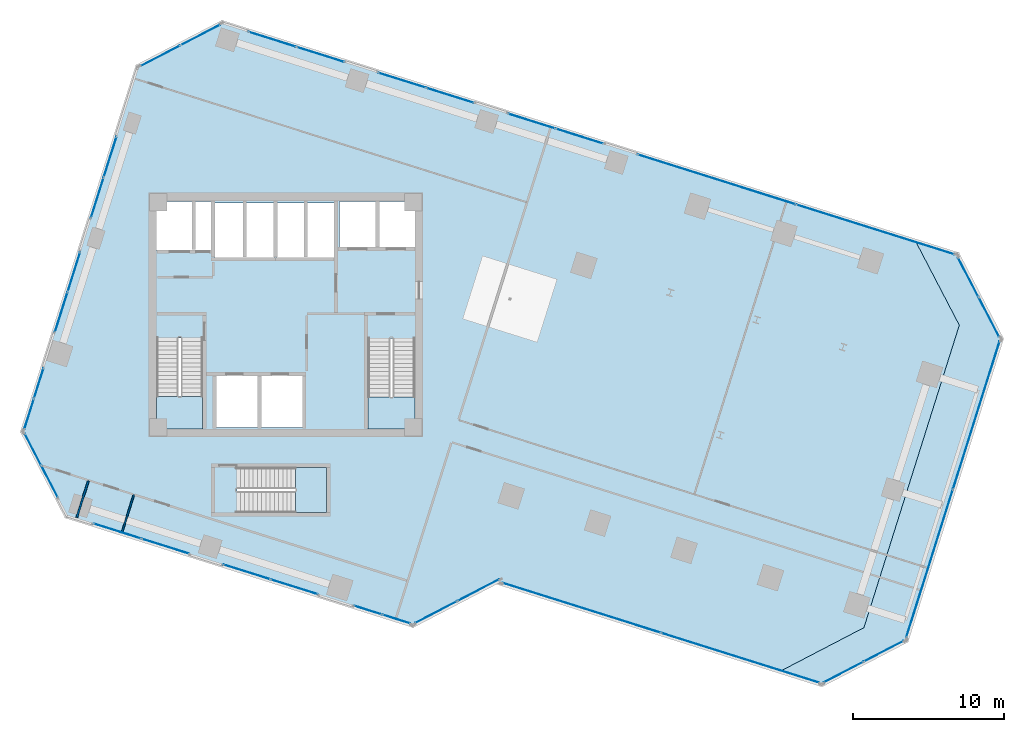
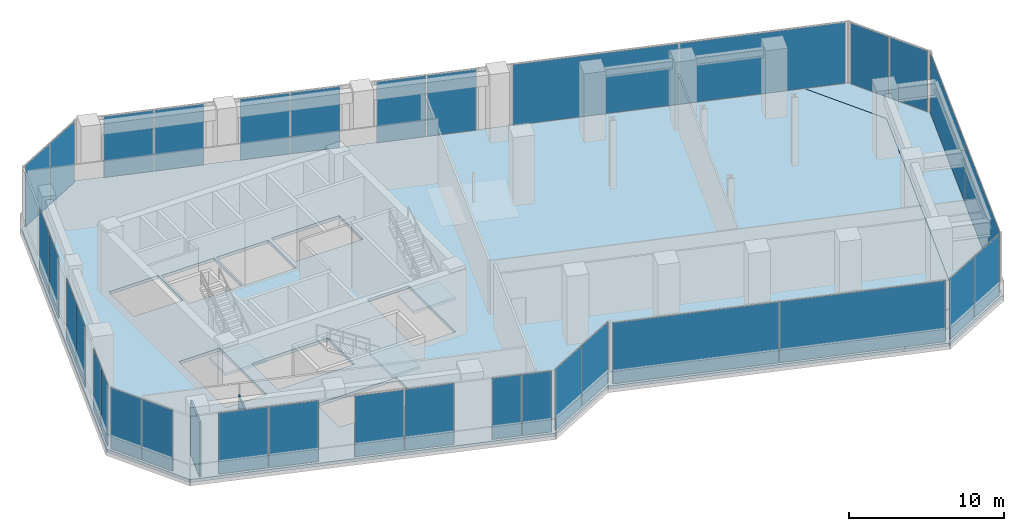
# One storey, part 20 of 28: 34 plates, 5 slabs, 2 walls, 20 elements without a shape of their own.
"""IFC4 building model written with IfcOpenShell, lengths in metres."""

from ifc_helpers import new_model, si_unit, direction, frame, frame_2d, origin, origin_2d, place, context, subcontext, project, spatial, polyline, rectangle, outline, extrude, source, transform, mapped, material, layer, layer_set, type_object, element, aggregate, save


model = new_model("IFC4")

# Units and contexts
model_context = context("Model", 3, precision=1e-05, world=origin(), true_north=direction((0.0, 1.0)))
body_context = subcontext(model_context, "Body", "Model", "MODEL_VIEW")
ifc_project = project(units=[si_unit("LENGTHUNIT", "METRE"), si_unit("AREAUNIT", "SQUARE_METRE"), si_unit("VOLUMEUNIT", "CUBIC_METRE"), si_unit("PLANEANGLEUNIT", "RADIAN"), si_unit("MASSUNIT", "GRAM", prefix="KILO")], contexts=[model_context])

# Site, building, storey
site_placement = place(None, origin())
site = spatial("IfcSite", under=ifc_project, at=site_placement, CompositionType="ELEMENT")
building_placement = place(site_placement, origin())
building = spatial("IfcBuilding", under=site, at=building_placement, Name="Torre Montelarca", CompositionType="ELEMENT")
storey_placement = place(building_placement, frame((0.0, 0.0, 116.800048828125)))
storey = spatial("IfcBuildingStorey", under=building, at=storey_placement, Name="L26", CompositionType="ELEMENT", Elevation=116.800048828125)

# Slabs
ifc_material_1 = material(Name="Concrete C40/50", Category="concrete")
ifc_layer_1 = layer(ifc_material_1, 0.239990234375, Name="Concrete C40/50", Category="concrete")
ifc_layer_set_1 = layer_set([ifc_layer_1], Name="Concrete C40/50")
slab_type_1 = type_object("IfcSlabType", Name="SL-FLR-240", PredefinedType="FLOOR", material=ifc_layer_set_1)
slab_1_placement = place(storey_placement, frame((0.0, 0.0, -0.239990234375)))
element("IfcSlab", 1, at=slab_1_placement, inside=storey, type_object=slab_type_1, Name="L26 Structural Floor Slab", PredefinedType="FLOOR", context=body_context, shape_type="SweptSolid", body=[
    extrude(outline(polyline([(26.422607421875, 11.36474609375), (32.067626953125, 14.30322265625), (32.03759765625, 14.207763671875), (50.635009765625, 8.343994140625), (56.27978515625, 11.28271484375), (62.5947265625, 31.310791015625), (59.65625, 36.95556640625), (13.782470703125, 51.41943359375), (8.137451171875, 48.48095703125), (0.49951171875, 24.256591796875), (3.43798828125, 18.61181640625), (26.422607421875, 11.36474609375)]), holes=[polyline([(20.699951171875, 18.89990234375), (14.760009765625, 18.89990234375), (14.760009765625, 21.889892578125), (20.699951171875, 21.889892578125), (20.699951171875, 18.89990234375)]), polyline([(19.10009765625, 24.550048828125), (13.39990234375, 24.550048828125), (13.39990234375, 27.949951171875), (19.10009765625, 27.949951171875), (19.10009765625, 24.550048828125)]), polyline([(23.43994140625, 24.449951171875), (23.43994140625, 30.429931640625), (26.550048828125, 30.429931640625), (26.550048828125, 24.449951171875), (23.43994140625, 24.449951171875)]), polyline([(9.449951171875, 24.449951171875), (9.449951171875, 30.4599609375), (12.5, 30.4599609375), (12.5, 24.449951171875), (9.449951171875, 24.449951171875)]), polyline([(17.25, 35.800048828125), (13.300048828125, 35.800048828125), (13.300048828125, 39.39990234375), (17.25, 39.39990234375), (17.25, 35.800048828125)]), polyline([(21.25, 35.800048828125), (17.39990234375, 35.800048828125), (17.39990234375, 39.39990234375), (21.25, 39.39990234375), (21.25, 35.800048828125)]), polyline([(13.1201171875, 36.300048828125), (9.449951171875, 36.300048828125), (9.449951171875, 39.5), (13.1201171875, 39.5), (13.1201171875, 36.300048828125)]), polyline([(26.60009765625, 36.449951171875), (21.550048828125, 36.449951171875), (21.550048828125, 39.5), (26.60009765625, 39.5), (26.60009765625, 36.449951171875)])]), origin(), (0.0, 0.0, 1.0), 0.239990234375),
])
slab_2_placement = place(storey_placement, frame((0.0, 0.0, -0.239990234375)))
element("IfcSlab", 2, at=slab_2_placement, inside=storey, type_object=slab_type_1, Name="L26 Sliding Tray Winter Garden Floor Slab E1", PredefinedType="FLOOR", context=body_context, shape_type="SweptSolid", body=[
    extrude(outline(polyline([(59.65625, 36.95556640625), (62.5947265625, 31.310791015625), (56.27978515625, 11.28271484375), (50.635009765625, 8.343994140625), (53.49609375, 7.44189453125), (59.14111328125, 10.380615234375), (65.455810546875, 30.40869140625), (62.517333984375, 36.053466796875), (59.65625, 36.95556640625)])), origin(), (0.0, 0.0, 1.0), 0.239990234375),
])

# Stair, slab
stair_type_1 = type_object("IfcStairType", Name="ST-CORE-ST1", PredefinedType="HALF_TURN_STAIR", material=ifc_material_1)
stair_1_placement = place(storey_placement, origin())
stair_1 = element("IfcStair", 3, at=stair_1_placement, inside=storey, type_object=stair_type_1, Name="L26 Protected Exit Stair ST1", PredefinedType="HALF_TURN_STAIR")
ifc_layer_2 = layer(ifc_material_1, 0.199951171875, Name="Concrete C40/50", Category="concrete")
ifc_layer_set_2 = layer_set([ifc_layer_2], Name="Concrete C40/50")
slab_type_2 = type_object("IfcSlabType", Name="SL-ST-LAND-ST1", PredefinedType="LANDING", material=ifc_layer_set_2)
slab_3_placement = place(storey_placement, frame((0.0, 0.0, 2.5)))
slab_3 = element("IfcSlab", 4, at=slab_3_placement, type_object=slab_type_2, Name="ST1 landing 1", PredefinedType="LANDING", context=body_context, shape_type="SweptSolid", body=[
    extrude(outline(polyline([(9.449951171875, 26.580078125), (9.449951171875, 24.449951171875), (12.5, 24.449951171875), (12.5, 26.580078125), (9.449951171875, 26.580078125)])), origin(), (0.0, 0.0, 1.0), 0.199951171875),
])
aggregate(stair_1, [slab_3])

stair_type_2 = type_object("IfcStairType", Name="ST-CORE-ST2", PredefinedType="HALF_TURN_STAIR", material=ifc_material_1)
stair_2_placement = place(storey_placement, origin())
stair_2 = element("IfcStair", 5, at=stair_2_placement, inside=storey, type_object=stair_type_2, Name="L26 Protected Exit Stair ST2", PredefinedType="HALF_TURN_STAIR")
ifc_layer_3 = layer(ifc_material_1, 0.199951171875, Name="Concrete C40/50", Category="concrete")
ifc_layer_set_3 = layer_set([ifc_layer_3], Name="Concrete C40/50")
slab_type_3 = type_object("IfcSlabType", Name="SL-ST-LAND-ST2", PredefinedType="LANDING", material=ifc_layer_set_3)
slab_4_placement = place(storey_placement, frame((0.0, 0.0, 2.5)))
slab_4 = element("IfcSlab", 6, at=slab_4_placement, type_object=slab_type_3, Name="ST2 landing 1", PredefinedType="LANDING", context=body_context, shape_type="SweptSolid", body=[
    extrude(outline(polyline([(23.43994140625, 26.550048828125), (23.43994140625, 24.449951171875), (26.550048828125, 24.449951171875), (26.550048828125, 26.550048828125), (23.43994140625, 26.550048828125)])), origin(), (0.0, 0.0, 1.0), 0.199951171875),
])
aggregate(stair_2, [slab_4])

stair_type_3 = type_object("IfcStairType", Name="ST-CORE-ST3", PredefinedType="HALF_TURN_STAIR", material=ifc_material_1)
stair_3_placement = place(storey_placement, origin())
stair_3 = element("IfcStair", 7, at=stair_3_placement, inside=storey, type_object=stair_type_3, Name="L26 Low-Rise Exit Stair ST3", PredefinedType="HALF_TURN_STAIR")
ifc_layer_4 = layer(ifc_material_1, 0.199951171875, Name="Concrete C40/50", Category="concrete")
ifc_layer_set_4 = layer_set([ifc_layer_4], Name="Concrete C40/50")
slab_type_4 = type_object("IfcSlabType", Name="SL-ST-LAND-ST3", PredefinedType="LANDING", material=ifc_layer_set_4)
slab_5_placement = place(storey_placement, frame((0.0, 0.0, 2.5)))
slab_5 = element("IfcSlab", 8, at=slab_5_placement, type_object=slab_type_4, Name="ST3 landing 1", PredefinedType="LANDING", context=body_context, shape_type="SweptSolid", body=[
    extrude(outline(polyline([(18.639892578125, 18.89990234375), (20.699951171875, 18.89990234375), (20.699951171875, 21.889892578125), (18.639892578125, 21.889892578125), (18.639892578125, 18.89990234375)])), origin(), (0.0, 0.0, 1.0), 0.199951171875),
])
aggregate(stair_3, [slab_5])

# Curtain wall, plates
ifc_material_2 = material(Name="Insulated low-E laminated glass", Category="glass")
curtain_wall_type = type_object("IfcCurtainWallType", Name="CW-SYS-Z1", PredefinedType="USERDEFINED", material=ifc_material_2)
curtain_wall_1_placement = place(storey_placement, origin())
curtain_wall_1 = element("IfcCurtainWall", 9, at=curtain_wall_1_placement, inside=storey, type_object=curtain_wall_type, Name="L26 Curtain Wall Run CW-T3-L26-E01-B1", ObjectType="UNITISED GLAZING", PredefinedType="USERDEFINED")
ifc_layer_5 = layer(ifc_material_2, 0.028076171875, Name="Insulated low-E laminated glass", Category="glass")
ifc_layer_set_5 = layer_set([ifc_layer_5], Name="Insulated low-E laminated glass")
plate_type = type_object("IfcPlateType", Name="CWP-GLZ-28", PredefinedType="CURTAIN_PANEL", material=ifc_layer_set_5)
shared_shape_1 = source(origin(), body_context, "Body", "SweptSolid", [
    extrude(rectangle(XDim=3.2724609375, YDim=0.028076171875, at=origin_2d()), origin(), (0.0, 0.0, 1.0), 4.7900390625),
])
plate_1_placement = place(storey_placement, frame((6.844970703125, 17.673828125, 0.06494140625), z_axis=(0.0, 0.0, 1.0), x_axis=(0.953715765505, -0.300709558589, 0.0)))
plate_1 = element("IfcPlate", 10, at=plate_1_placement, type_object=plate_type, Name="CW panel 1.1", PredefinedType="CURTAIN_PANEL", context=body_context, shape_type="MappedRepresentation", body=[
    mapped(shared_shape_1, transform((0.0, 0.0, 0.0), scale=1.0)),
])
plate_2_placement = place(storey_placement, frame((10.028076171875, 16.670166015625, 0.06494140625), z_axis=(0.0, 0.0, 1.0), x_axis=(0.953715765505, -0.300709558589, 0.0)))
plate_2 = element("IfcPlate", 11, at=plate_2_placement, type_object=plate_type, Name="CW panel 2.1", PredefinedType="CURTAIN_PANEL", context=body_context, shape_type="MappedRepresentation", body=[
    mapped(shared_shape_1, transform((0.0, 0.0, 0.0), scale=1.0)),
])
aggregate(curtain_wall_1, [plate_1, plate_2])

curtain_wall_2_placement = place(storey_placement, origin())
curtain_wall_2 = element("IfcCurtainWall", 12, at=curtain_wall_2_placement, inside=storey, type_object=curtain_wall_type, Name="L26 Curtain Wall Run CW-T3-L26-E08-B2", ObjectType="UNITISED GLAZING", PredefinedType="USERDEFINED")
plate_3_placement = place(storey_placement, frame((37.4609375, 43.8173828125, 0.06494140625), z_axis=(0.0, 0.0, 1.0), x_axis=(-0.953714423855, 0.30071381367, 0.0)))
plate_3 = element("IfcPlate", 13, at=plate_3_placement, type_object=plate_type, Name="CW panel 1.1", PredefinedType="CURTAIN_PANEL", context=body_context, shape_type="MappedRepresentation", body=[
    mapped(shared_shape_1, transform((0.0, 0.0, 0.0), scale=1.0)),
])
plate_4_placement = place(storey_placement, frame((34.278076171875, 44.821044921875, 0.06494140625), z_axis=(0.0, 0.0, 1.0), x_axis=(-0.953714423855, 0.30071381367, 0.0)))
plate_4 = element("IfcPlate", 14, at=plate_4_placement, type_object=plate_type, Name="CW panel 2.1", PredefinedType="CURTAIN_PANEL", context=body_context, shape_type="MappedRepresentation", body=[
    mapped(shared_shape_1, transform((0.0, 0.0, 0.0), scale=1.0)),
])
aggregate(curtain_wall_2, [plate_3, plate_4])

curtain_wall_3_placement = place(storey_placement, origin())
curtain_wall_3 = element("IfcCurtainWall", 15, at=curtain_wall_3_placement, inside=storey, type_object=curtain_wall_type, Name="L26 Curtain Wall Run CW-T3-L26-E08-B3", ObjectType="UNITISED GLAZING", PredefinedType="USERDEFINED")
plate_5_placement = place(storey_placement, frame((28.877685546875, 46.523681640625, 0.06494140625), z_axis=(0.0, 0.0, 1.0), x_axis=(-0.953715765505, 0.300709558589, 0.0)))
plate_5 = element("IfcPlate", 16, at=plate_5_placement, type_object=plate_type, Name="CW panel 1.1", PredefinedType="CURTAIN_PANEL", context=body_context, shape_type="MappedRepresentation", body=[
    mapped(shared_shape_1, transform((0.0, 0.0, 0.0), scale=1.0)),
])
plate_6_placement = place(storey_placement, frame((25.694580078125, 47.52734375, 0.06494140625), z_axis=(0.0, 0.0, 1.0), x_axis=(-0.953715765505, 0.300709558589, 0.0)))
plate_6 = element("IfcPlate", 17, at=plate_6_placement, type_object=plate_type, Name="CW panel 2.1", PredefinedType="CURTAIN_PANEL", context=body_context, shape_type="MappedRepresentation", body=[
    mapped(shared_shape_1, transform((0.0, 0.0, 0.0), scale=1.0)),
])
aggregate(curtain_wall_3, [plate_5, plate_6])

curtain_wall_4_placement = place(storey_placement, origin())
curtain_wall_4 = element("IfcCurtainWall", 18, at=curtain_wall_4_placement, inside=storey, type_object=curtain_wall_type, Name="L26 Curtain Wall Run CW-T3-L26-E08-B4", ObjectType="UNITISED GLAZING", PredefinedType="USERDEFINED")
plate_7_placement = place(storey_placement, frame((20.294189453125, 49.22998046875, 0.06494140625), z_axis=(0.0, 0.0, 1.0), x_axis=(-0.953720020459, 0.300696063452, 0.0)))
plate_7 = element("IfcPlate", 19, at=plate_7_placement, type_object=plate_type, Name="CW panel 1.1", PredefinedType="CURTAIN_PANEL", context=body_context, shape_type="MappedRepresentation", body=[
    mapped(shared_shape_1, transform((0.0, 0.0, 0.0), scale=1.0)),
])
plate_8_placement = place(storey_placement, frame((17.111083984375, 50.233642578125, 0.06494140625), z_axis=(0.0, 0.0, 1.0), x_axis=(-0.953720020459, 0.300696063452, 0.0)))
plate_8 = element("IfcPlate", 20, at=plate_8_placement, type_object=plate_type, Name="CW panel 2.1", PredefinedType="CURTAIN_PANEL", context=body_context, shape_type="MappedRepresentation", body=[
    mapped(shared_shape_1, transform((0.0, 0.0, 0.0), scale=1.0)),
])
aggregate(curtain_wall_4, [plate_7, plate_8])

curtain_wall_5_placement = place(storey_placement, origin())
curtain_wall_5 = element("IfcCurtainWall", 21, at=curtain_wall_5_placement, inside=storey, type_object=curtain_wall_type, Name="L26 Curtain Wall Run CW-T3-L26-E01-B2", ObjectType="UNITISED GLAZING", PredefinedType="USERDEFINED")
shared_shape_2 = source(origin(), body_context, "Body", "SweptSolid", [
    extrude(rectangle(XDim=3.23486328125, YDim=0.028076171875, at=origin_2d()), origin(), (0.0, 0.0, 1.0), 4.7900390625),
])
plate_9_placement = place(storey_placement, frame((15.41064453125, 14.97314453125, 0.06494140625), z_axis=(0.0, 0.0, 1.0), x_axis=(0.953721113808, -0.300692595648, 0.0)))
plate_9 = element("IfcPlate", 22, at=plate_9_placement, type_object=plate_type, Name="CW panel 1.1", PredefinedType="CURTAIN_PANEL", context=body_context, shape_type="MappedRepresentation", body=[
    mapped(shared_shape_2, transform((0.0, 0.0, 0.0), scale=1.0)),
])
plate_10_placement = place(storey_placement, frame((18.557861328125, 13.980712890625, 0.06494140625), z_axis=(0.0, 0.0, 1.0), x_axis=(0.953721113808, -0.300692595648, 0.0)))
plate_10 = element("IfcPlate", 23, at=plate_10_placement, type_object=plate_type, Name="CW panel 2.1", PredefinedType="CURTAIN_PANEL", context=body_context, shape_type="MappedRepresentation", body=[
    mapped(shared_shape_2, transform((0.0, 0.0, 0.0), scale=1.0)),
])
aggregate(curtain_wall_5, [plate_9, plate_10])

curtain_wall_6_placement = place(storey_placement, origin())
curtain_wall_6 = element("IfcCurtainWall", 24, at=curtain_wall_6_placement, inside=storey, type_object=curtain_wall_type, Name="L26 Curtain Wall Run CW-T3-L26-E01-B3", ObjectType="UNITISED GLAZING", PredefinedType="USERDEFINED")
shared_shape_3 = source(origin(), body_context, "Body", "SweptSolid", [
    extrude(rectangle(XDim=1.9169921875, YDim=0.028076171875, at=origin_2d()), origin(), (0.0, 0.0, 1.0), 4.7900390625),
])
plate_11_placement = place(storey_placement, frame((23.43701171875, 12.4423828125, 0.06494140625), z_axis=(0.0, 0.0, 1.0), x_axis=(0.953716855087, -0.300706102902, 0.0)))
plate_11 = element("IfcPlate", 25, at=plate_11_placement, type_object=plate_type, Name="CW panel 1.1", PredefinedType="CURTAIN_PANEL", context=body_context, shape_type="MappedRepresentation", body=[
    mapped(shared_shape_3, transform((0.0, 0.0, 0.0), scale=1.0)),
])
plate_12_placement = place(storey_placement, frame((25.327392578125, 11.846435546875, 0.06494140625), z_axis=(0.0, 0.0, 1.0), x_axis=(0.953716855087, -0.300706102902, 0.0)))
plate_12 = element("IfcPlate", 26, at=plate_12_placement, type_object=plate_type, Name="CW panel 2.1", PredefinedType="CURTAIN_PANEL", context=body_context, shape_type="MappedRepresentation", body=[
    mapped(shared_shape_3, transform((0.0, 0.0, 0.0), scale=1.0)),
])
aggregate(curtain_wall_6, [plate_11, plate_12])

curtain_wall_7_placement = place(storey_placement, origin())
curtain_wall_7 = element("IfcCurtainWall", 27, at=curtain_wall_7_placement, inside=storey, type_object=curtain_wall_type, Name="L26 Curtain Wall Run CW-T3-L26-E02-B1", ObjectType="UNITISED GLAZING", PredefinedType="USERDEFINED")
shared_shape_4 = source(origin(), body_context, "Body", "SweptSolid", [
    extrude(rectangle(XDim=3.1025390625, YDim=0.028076171875, at=origin_2d()), origin(), (0.0, 0.0, 1.0), 4.7900390625),
])
plate_13_placement = place(storey_placement, frame((27.943359375, 12.302978515625, 0.06494140625), z_axis=(0.0, 0.0, 1.0), x_axis=(0.887014618203, 0.461741342198, 0.0)))
plate_13 = element("IfcPlate", 28, at=plate_13_placement, type_object=plate_type, Name="CW panel 1.1", PredefinedType="CURTAIN_PANEL", context=body_context, shape_type="MappedRepresentation", body=[
    mapped(shared_shape_4, transform((0.0, 0.0, 0.0), scale=1.0)),
])
plate_14_placement = place(storey_placement, frame((30.7529296875, 13.765380859375, 0.06494140625), z_axis=(0.0, 0.0, 1.0), x_axis=(0.887014618203, 0.461741342198, 0.0)))
plate_14 = element("IfcPlate", 29, at=plate_14_placement, type_object=plate_type, Name="CW panel 2.1", PredefinedType="CURTAIN_PANEL", context=body_context, shape_type="MappedRepresentation", body=[
    mapped(shared_shape_4, transform((0.0, 0.0, 0.0), scale=1.0)),
])
aggregate(curtain_wall_7, [plate_13, plate_14])

curtain_wall_8_placement = place(storey_placement, origin())
curtain_wall_8 = element("IfcCurtainWall", 30, at=curtain_wall_8_placement, inside=storey, type_object=curtain_wall_type, Name="L26 Curtain Wall Run CW-T3-L26-E04-B1", ObjectType="UNITISED GLAZING", PredefinedType="USERDEFINED")
shared_shape_5 = source(origin(), body_context, "Body", "SweptSolid", [
    extrude(rectangle(XDim=10.948486328125, YDim=0.028076171875, at=origin_2d()), origin(), (0.0, 0.0, 1.0), 4.7900390625),
])
plate_15_placement = place(storey_placement, frame((37.59033203125, 12.59326171875, 0.06494140625), z_axis=(0.0, 0.0, 1.0), x_axis=(0.953718500235, -0.300700885116, 0.0)))
plate_15 = element("IfcPlate", 31, at=plate_15_placement, type_object=plate_type, Name="CW panel 1.1", PredefinedType="CURTAIN_PANEL", context=body_context, shape_type="MappedRepresentation", body=[
    mapped(shared_shape_5, transform((0.0, 0.0, 0.0), scale=1.0)),
])
plate_16_placement = place(storey_placement, frame((48.093994140625, 9.281494140625, 0.06494140625), z_axis=(0.0, 0.0, 1.0), x_axis=(0.953718500235, -0.300700885116, 0.0)))
plate_16 = element("IfcPlate", 32, at=plate_16_placement, type_object=plate_type, Name="CW panel 2.1", PredefinedType="CURTAIN_PANEL", context=body_context, shape_type="MappedRepresentation", body=[
    mapped(shared_shape_5, transform((0.0, 0.0, 0.0), scale=1.0)),
])
aggregate(curtain_wall_8, [plate_15, plate_16])

curtain_wall_9_placement = place(storey_placement, origin())
curtain_wall_9 = element("IfcCurtainWall", 33, at=curtain_wall_9_placement, inside=storey, type_object=curtain_wall_type, Name="L26 Curtain Wall Run CW-T3-L26-E05-B1", ObjectType="UNITISED GLAZING", PredefinedType="USERDEFINED")
shared_shape_6 = source(origin(), body_context, "Body", "SweptSolid", [
    extrude(rectangle(XDim=2.918701171875, YDim=0.028076171875, at=origin_2d()), origin(), (0.0, 0.0, 1.0), 4.7900390625),
])
plate_17_placement = place(storey_placement, frame((54.935302734375, 8.337646484375, 0.06494140625), z_axis=(0.0, 0.0, 1.0), x_axis=(0.887021029316, 0.461729026109, 0.0)))
plate_17 = element("IfcPlate", 34, at=plate_17_placement, type_object=plate_type, Name="CW panel 1.1", PredefinedType="CURTAIN_PANEL", context=body_context, shape_type="MappedRepresentation", body=[
    mapped(shared_shape_6, transform((0.0, 0.0, 0.0), scale=1.0)),
])
plate_18_placement = place(storey_placement, frame((57.581787109375, 9.71533203125, 0.06494140625), z_axis=(0.0, 0.0, 1.0), x_axis=(0.887021029316, 0.461729026109, 0.0)))
plate_18 = element("IfcPlate", 35, at=plate_18_placement, type_object=plate_type, Name="CW panel 2.1", PredefinedType="CURTAIN_PANEL", context=body_context, shape_type="MappedRepresentation", body=[
    mapped(shared_shape_6, transform((0.0, 0.0, 0.0), scale=1.0)),
])
aggregate(curtain_wall_9, [plate_17, plate_18])

curtain_wall_10_placement = place(storey_placement, origin())
curtain_wall_10 = element("IfcCurtainWall", 36, at=curtain_wall_10_placement, inside=storey, type_object=curtain_wall_type, Name="L26 Curtain Wall Run CW-T3-L26-E07-B1", ObjectType="UNITISED GLAZING", PredefinedType="USERDEFINED")
plate_19_placement = place(storey_placement, frame((64.56005859375, 31.84765625, 0.06494140625), z_axis=(0.0, 0.0, 1.0), x_axis=(-0.461742069139, 0.887014239788, 0.0)))
plate_19 = element("IfcPlate", 37, at=plate_19_placement, type_object=plate_type, Name="CW panel 1.1", PredefinedType="CURTAIN_PANEL", context=body_context, shape_type="MappedRepresentation", body=[
    mapped(shared_shape_6, transform((0.0, 0.0, 0.0), scale=1.0)),
])
plate_20_placement = place(storey_placement, frame((63.182373046875, 34.494384765625, 0.06494140625), z_axis=(0.0, 0.0, 1.0), x_axis=(-0.461742069139, 0.887014239788, 0.0)))
plate_20 = element("IfcPlate", 38, at=plate_20_placement, type_object=plate_type, Name="CW panel 2.1", PredefinedType="CURTAIN_PANEL", context=body_context, shape_type="MappedRepresentation", body=[
    mapped(shared_shape_6, transform((0.0, 0.0, 0.0), scale=1.0)),
])
aggregate(curtain_wall_10, [plate_19, plate_20])

curtain_wall_11_placement = place(storey_placement, origin())
curtain_wall_11 = element("IfcCurtainWall", 39, at=curtain_wall_11_placement, inside=storey, type_object=curtain_wall_type, Name="L26 Curtain Wall Run CW-T3-L26-E09-B1", ObjectType="UNITISED GLAZING", PredefinedType="USERDEFINED")
plate_21_placement = place(storey_placement, frame((12.34326171875, 50.523681640625, 0.06494140625), z_axis=(0.0, 0.0, 1.0), x_axis=(-0.887021029316, -0.461729026109, 0.0)))
plate_21 = element("IfcPlate", 40, at=plate_21_placement, type_object=plate_type, Name="CW panel 1.1", PredefinedType="CURTAIN_PANEL", context=body_context, shape_type="MappedRepresentation", body=[
    mapped(shared_shape_6, transform((0.0, 0.0, 0.0), scale=1.0)),
])
plate_22_placement = place(storey_placement, frame((9.69677734375, 49.146240234375, 0.06494140625), z_axis=(0.0, 0.0, 1.0), x_axis=(-0.887021029316, -0.461729026109, 0.0)))
plate_22 = element("IfcPlate", 41, at=plate_22_placement, type_object=plate_type, Name="CW panel 2.1", PredefinedType="CURTAIN_PANEL", context=body_context, shape_type="MappedRepresentation", body=[
    mapped(shared_shape_6, transform((0.0, 0.0, 0.0), scale=1.0)),
])
aggregate(curtain_wall_11, [plate_21, plate_22])

curtain_wall_12_placement = place(storey_placement, origin())
curtain_wall_12 = element("IfcCurtainWall", 42, at=curtain_wall_12_placement, inside=storey, type_object=curtain_wall_type, Name="L26 Curtain Wall Run CW-T3-L26-E06-B1", ObjectType="UNITISED GLAZING", PredefinedType="USERDEFINED")
shared_shape_7 = source(origin(), body_context, "Body", "SweptSolid", [
    extrude(rectangle(XDim=10.23681640625, YDim=0.028076171875, at=origin_2d()), origin(), (0.0, 0.0, 1.0), 4.7900390625),
])
plate_23_placement = place(storey_placement, frame((60.62548828125, 15.521240234375, 0.06494140625), z_axis=(0.0, 0.0, 1.0), x_axis=(0.300705506127, 0.95371704325, 0.0)))
plate_23 = element("IfcPlate", 43, at=plate_23_placement, type_object=plate_type, Name="CW panel 1.1", PredefinedType="CURTAIN_PANEL", context=body_context, shape_type="MappedRepresentation", body=[
    mapped(shared_shape_7, transform((0.0, 0.0, 0.0), scale=1.0)),
])
plate_24_placement = place(storey_placement, frame((63.723388671875, 25.345947265625, 0.06494140625), z_axis=(0.0, 0.0, 1.0), x_axis=(0.300705506127, 0.95371704325, 0.0)))
plate_24 = element("IfcPlate", 44, at=plate_24_placement, type_object=plate_type, Name="CW panel 2.1", PredefinedType="CURTAIN_PANEL", context=body_context, shape_type="MappedRepresentation", body=[
    mapped(shared_shape_7, transform((0.0, 0.0, 0.0), scale=1.0)),
])
aggregate(curtain_wall_12, [plate_23, plate_24])

curtain_wall_13_placement = place(storey_placement, origin())
curtain_wall_13 = element("IfcCurtainWall", 45, at=curtain_wall_13_placement, inside=storey, type_object=curtain_wall_type, Name="L26 Curtain Wall Run CW-T3-L26-E08-B1", ObjectType="UNITISED GLAZING", PredefinedType="USERDEFINED")
shared_shape_8 = source(origin(), body_context, "Body", "SweptSolid", [
    extrude(rectangle(XDim=10.95458984375, YDim=0.028076171875, at=origin_2d()), origin(), (0.0, 0.0, 1.0), 4.7900390625),
])
plate_25_placement = place(storey_placement, frame((57.034423828125, 37.64599609375, 0.06494140625), z_axis=(0.0, 0.0, 1.0), x_axis=(-0.953717947538, 0.300702638073, 0.0)))
plate_25 = element("IfcPlate", 46, at=plate_25_placement, type_object=plate_type, Name="CW panel 1.1", PredefinedType="CURTAIN_PANEL", context=body_context, shape_type="MappedRepresentation", body=[
    mapped(shared_shape_8, transform((0.0, 0.0, 0.0), scale=1.0)),
])
plate_26_placement = place(storey_placement, frame((46.524658203125, 40.959716796875, 0.06494140625), z_axis=(0.0, 0.0, 1.0), x_axis=(-0.953717947538, 0.300702638073, 0.0)))
plate_26 = element("IfcPlate", 47, at=plate_26_placement, type_object=plate_type, Name="CW panel 2.1", PredefinedType="CURTAIN_PANEL", context=body_context, shape_type="MappedRepresentation", body=[
    mapped(shared_shape_8, transform((0.0, 0.0, 0.0), scale=1.0)),
])
aggregate(curtain_wall_13, [plate_25, plate_26])

curtain_wall_14_placement = place(storey_placement, origin())
curtain_wall_14 = element("IfcCurtainWall", 48, at=curtain_wall_14_placement, inside=storey, type_object=curtain_wall_type, Name="L26 Curtain Wall Run CW-T3-L26-E10-B1", ObjectType="UNITISED GLAZING", PredefinedType="USERDEFINED")
shared_shape_9 = source(origin(), body_context, "Body", "SweptSolid", [
    extrude(rectangle(XDim=2.7724609375, YDim=0.028076171875, at=origin_2d()), origin(), (0.0, 0.0, 1.0), 4.7900390625),
])
plate_27_placement = place(storey_placement, frame((6.37255859375, 42.451416015625, 0.06494140625), z_axis=(0.0, 0.0, 1.0), x_axis=(-0.30069943559, -0.953718957259, 0.0)))
plate_27 = element("IfcPlate", 49, at=plate_27_placement, type_object=plate_type, Name="CW panel 1.1", PredefinedType="CURTAIN_PANEL", context=body_context, shape_type="MappedRepresentation", body=[
    mapped(shared_shape_9, transform((0.0, 0.0, 0.0), scale=1.0)),
])
plate_28_placement = place(storey_placement, frame((5.519287109375, 39.7451171875, 0.06494140625), z_axis=(0.0, 0.0, 1.0), x_axis=(-0.30069943559, -0.953718957259, 0.0)))
plate_28 = element("IfcPlate", 50, at=plate_28_placement, type_object=plate_type, Name="CW panel 2.1", PredefinedType="CURTAIN_PANEL", context=body_context, shape_type="MappedRepresentation", body=[
    mapped(shared_shape_9, transform((0.0, 0.0, 0.0), scale=1.0)),
])
aggregate(curtain_wall_14, [plate_27, plate_28])

curtain_wall_15_placement = place(storey_placement, origin())
curtain_wall_15 = element("IfcCurtainWall", 51, at=curtain_wall_15_placement, inside=storey, type_object=curtain_wall_type, Name="L26 Curtain Wall Run CW-T3-L26-E10-B2", ObjectType="UNITISED GLAZING", PredefinedType="USERDEFINED")
shared_shape_10 = source(origin(), body_context, "Body", "SweptSolid", [
    extrude(rectangle(XDim=2.735107421875, YDim=0.028076171875, at=origin_2d()), origin(), (0.0, 0.0, 1.0), 4.7900390625),
])
plate_29_placement = place(storey_placement, frame((3.97265625, 34.839599609375, 0.06494140625), z_axis=(0.0, 0.0, 1.0), x_axis=(-0.300706394131, -0.953716763263, 0.0)))
plate_29 = element("IfcPlate", 52, at=plate_29_placement, type_object=plate_type, Name="CW panel 1.1", PredefinedType="CURTAIN_PANEL", context=body_context, shape_type="MappedRepresentation", body=[
    mapped(shared_shape_10, transform((0.0, 0.0, 0.0), scale=1.0)),
])
plate_30_placement = place(storey_placement, frame((3.130615234375, 32.169189453125, 0.06494140625), z_axis=(0.0, 0.0, 1.0), x_axis=(-0.300706394131, -0.953716763263, 0.0)))
plate_30 = element("IfcPlate", 53, at=plate_30_placement, type_object=plate_type, Name="CW panel 2.1", PredefinedType="CURTAIN_PANEL", context=body_context, shape_type="MappedRepresentation", body=[
    mapped(shared_shape_10, transform((0.0, 0.0, 0.0), scale=1.0)),
])
aggregate(curtain_wall_15, [plate_29, plate_30])

curtain_wall_16_placement = place(storey_placement, origin())
curtain_wall_16 = element("IfcCurtainWall", 54, at=curtain_wall_16_placement, inside=storey, type_object=curtain_wall_type, Name="L26 Curtain Wall Run CW-T3-L26-E10-B3", ObjectType="UNITISED GLAZING", PredefinedType="USERDEFINED")
shared_shape_11 = source(origin(), body_context, "Body", "SweptSolid", [
    extrude(rectangle(XDim=2.067138671875, YDim=0.028076171875, at=origin_2d()), origin(), (0.0, 0.0, 1.0), 4.7900390625),
])
plate_31_placement = place(storey_placement, frame((1.644775390625, 27.456787109375, 0.06494140625), z_axis=(0.0, 0.0, 1.0), x_axis=(-0.300704614611, -0.953717324343, 0.0)))
plate_31 = element("IfcPlate", 55, at=plate_31_placement, type_object=plate_type, Name="CW panel 1.1", PredefinedType="CURTAIN_PANEL", context=body_context, shape_type="MappedRepresentation", body=[
    mapped(shared_shape_11, transform((0.0, 0.0, 0.0), scale=1.0)),
])
plate_32_placement = place(storey_placement, frame((1.003662109375, 25.42333984375, 0.06494140625), z_axis=(0.0, 0.0, 1.0), x_axis=(-0.300704614611, -0.953717324343, 0.0)))
plate_32 = element("IfcPlate", 56, at=plate_32_placement, type_object=plate_type, Name="CW panel 2.1", PredefinedType="CURTAIN_PANEL", context=body_context, shape_type="MappedRepresentation", body=[
    mapped(shared_shape_11, transform((0.0, 0.0, 0.0), scale=1.0)),
])
aggregate(curtain_wall_16, [plate_31, plate_32])

curtain_wall_17_placement = place(storey_placement, origin())
curtain_wall_17 = element("IfcCurtainWall", 57, at=curtain_wall_17_placement, inside=storey, type_object=curtain_wall_type, Name="L26 Curtain Wall Run CW-T3-L26-E11-B1", ObjectType="UNITISED GLAZING", PredefinedType="USERDEFINED")
shared_shape_12 = source(origin(), body_context, "Body", "SweptSolid", [
    extrude(rectangle(XDim=2.33056640625, YDim=0.028076171875, at=origin_2d()), origin(), (0.0, 0.0, 1.0), 4.7900390625),
])
plate_33_placement = place(storey_placement, frame((1.259521484375, 23.078369140625, 0.06494140625), z_axis=(0.0, 0.0, 1.0), x_axis=(0.461750150245, -0.88701003306, 0.0)))
plate_33 = element("IfcPlate", 58, at=plate_33_placement, type_object=plate_type, Name="CW panel 1.1", PredefinedType="CURTAIN_PANEL", context=body_context, shape_type="MappedRepresentation", body=[
    mapped(shared_shape_12, transform((0.0, 0.0, 0.0), scale=1.0)),
])
plate_34_placement = place(storey_placement, frame((2.36572265625, 20.953369140625, 0.06494140625), z_axis=(0.0, 0.0, 1.0), x_axis=(0.461750150245, -0.88701003306, 0.0)))
plate_34 = element("IfcPlate", 59, at=plate_34_placement, type_object=plate_type, Name="CW panel 2.1", PredefinedType="CURTAIN_PANEL", context=body_context, shape_type="MappedRepresentation", body=[
    mapped(shared_shape_12, transform((0.0, 0.0, 0.0), scale=1.0)),
])
aggregate(curtain_wall_17, [plate_33, plate_34])

# Walls
ifc_material_3 = material(Name="Acoustic laminated glass partition", Category="glass")
ifc_layer_6 = layer(ifc_material_3, 0.10009765625, Name="Acoustic laminated glass partition", Category="glass")
ifc_layer_set_6 = layer_set([ifc_layer_6], Name="Acoustic laminated glass partition")
wall_type_1 = type_object("IfcWallType", Name="PW-GLAZ-100", PredefinedType="PARTITIONING", material=ifc_layer_set_6)
wall_1_placement = place(storey_placement, frame((7.1640625, 17.62548828125, 0.0), z_axis=(0.0, 0.0, 1.0), x_axis=(0.300705230461, 0.953717130167, 0.0)))
element("IfcWall", 60, at=wall_1_placement, inside=storey, type_object=wall_type_1, Name="L26 Interior Partition W-L26-SWCDIV", PredefinedType="PARTITIONING", context=body_context, shape_type="SweptSolid", body=[
    extrude(rectangle(XDim=2.550048828125, YDim=0.10009765625, at=frame_2d((1.27490234375, 0.0))), origin(), (0.0, 0.0, 1.0), 4.2548828125),
])
ifc_material_4 = material(Name="Gypsum plasterboard on steel stud", Category="steel")
ifc_layer_7 = layer(ifc_material_4, 0.114990234375, Name="Gypsum plasterboard on steel stud", Category="steel")
ifc_layer_set_7 = layer_set([ifc_layer_7], Name="Gypsum plasterboard on steel stud")
wall_type_2 = type_object("IfcWallType", Name="PW-PART-115", PredefinedType="PARTITIONING", material=ifc_layer_set_7)
wall_2_placement = place(storey_placement, frame((4.159912109375, 18.57275390625, 0.0), z_axis=(0.0, 0.0, 1.0), x_axis=(0.300618147946, 0.95374458275, 0.0)))
element("IfcWall", 61, at=wall_2_placement, inside=storey, type_object=wall_type_2, Name="L26 Interior Partition W-L26-WCD", PredefinedType="PARTITIONING", context=body_context, shape_type="SweptSolid", body=[
    extrude(rectangle(XDim=2.550048828125, YDim=0.114990234375, at=frame_2d((1.27490234375, 0.0))), origin(), (0.0, 0.0, 1.0), 4.2548828125),
])

save(model, "model.ifc")
